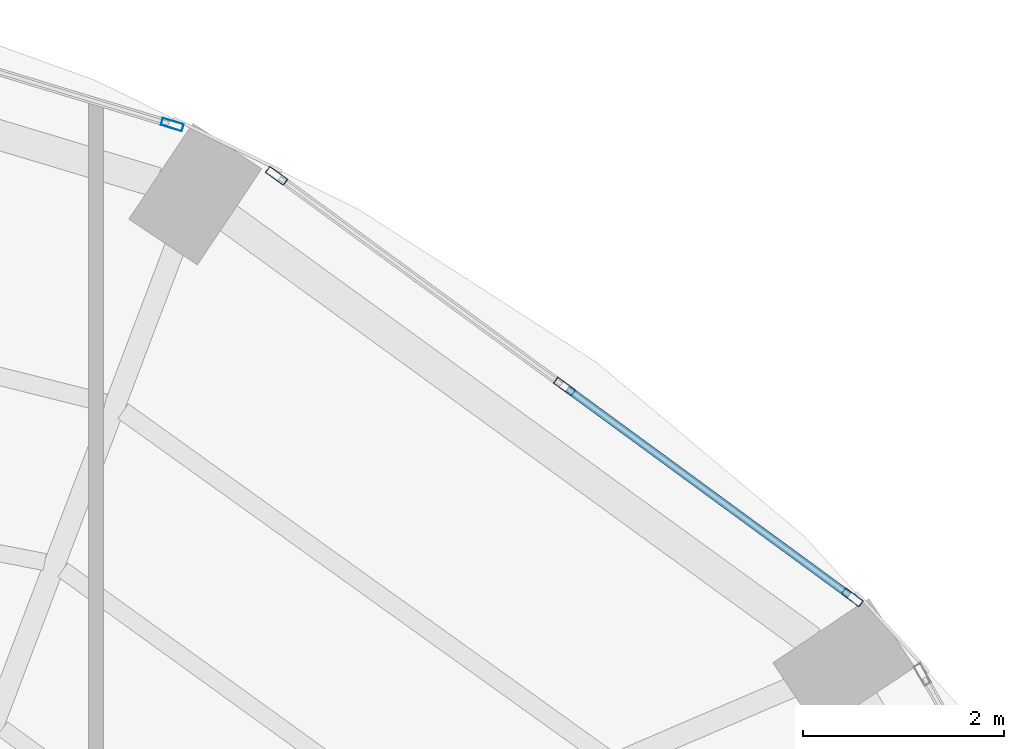
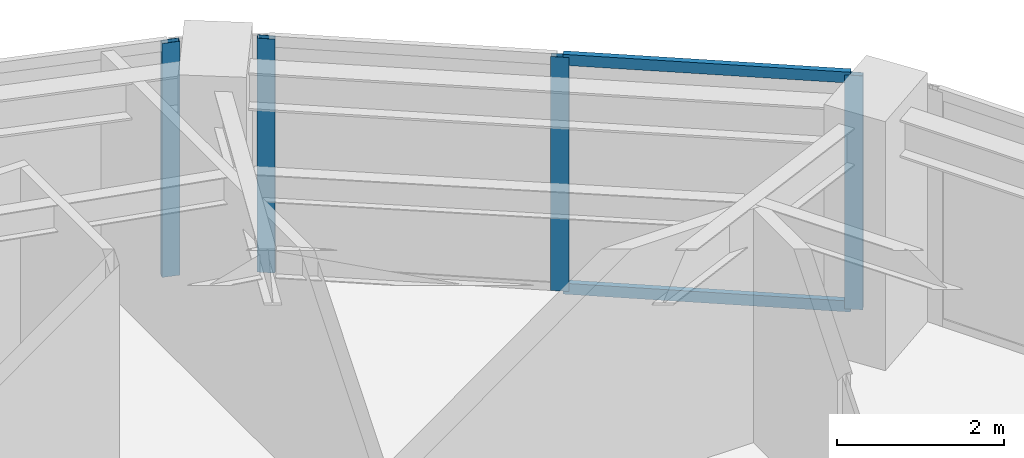
# One storey, part 14 of 20: 6 members, 2 elements without a shape of their own.
"""IFC4 building model written with IfcOpenShell, lengths in metres."""

from ifc_helpers import new_model, si_unit, direction, frame, origin, origin_2d, place, context, subcontext, project, spatial, hollow_rectangle, extrude, material, layer, layer_set, material_profile, profile_set, type_object, element, aggregate, save


model = new_model("IFC4")

# Units and contexts
model_context = context("Model", 3, precision=1e-05, world=origin(), true_north=direction((0.0, 1.0)))
body_context = subcontext(model_context, "Body", "Model", "MODEL_VIEW")
ifc_project = project(units=[si_unit("LENGTHUNIT", "METRE"), si_unit("AREAUNIT", "SQUARE_METRE"), si_unit("VOLUMEUNIT", "CUBIC_METRE"), si_unit("PLANEANGLEUNIT", "RADIAN"), si_unit("MASSUNIT", "GRAM", prefix="KILO")], contexts=[model_context])

# Site, building, storey
site_placement = place(None, origin())
site = spatial("IfcSite", under=ifc_project, at=site_placement, CompositionType="ELEMENT")
building_placement = place(site_placement, origin())
building = spatial("IfcBuilding", under=site, at=building_placement, Name="Lazwardi Medical Tower", CompositionType="ELEMENT")
storey_placement = place(building_placement, frame((0.0, 0.0, 141.93603515625)))
storey = spatial("IfcBuildingStorey", under=building, at=storey_placement, Name="L36", CompositionType="ELEMENT", Elevation=141.93603515625)

# Curtain wall, members
ifc_material_1 = material(Name="Anodised bronze aluminium and solar control glazing", Category="aluminium")
ifc_layer = layer(ifc_material_1, 0.195068359375)
ifc_layer_set = layer_set([ifc_layer], Name="Anodised bronze aluminium and solar control glazing")
curtain_wall_type = type_object("IfcCurtainWallType", Name="CW-SYS-03", PredefinedType="NOTDEFINED", material=ifc_layer_set)
curtain_wall_1_placement = place(storey_placement, origin())
curtain_wall_1 = element("IfcCurtainWall", 1, at=curtain_wall_1_placement, inside=storey, type_object=curtain_wall_type, Name="L36 Unitised bronze curtain wall CW-03", PredefinedType="NOTDEFINED")
ifc_material_2 = material(Name="Anodised bronze aluminium", Category="aluminium")
ifc_material_profile_1 = material_profile(ifc_material_2, hollow_rectangle(XDim=0.074951171875, YDim=0.219970703125, WallThickness=0.00390625, at=origin_2d()), Name="ALU-MULLION 220x75x4")
ifc_profile_set_1 = profile_set([ifc_material_profile_1], Name="Anodised bronze aluminium")
member_type_1 = type_object("IfcMemberType", Name="CW-MUL-01", PredefinedType="MULLION", material=ifc_profile_set_1)
member_1_placement = place(storey_placement, frame((55.519775390625, 40.5029296875, 0.0), z_axis=(0.0, 0.0, 1.0), x_axis=(-0.590833862635, -0.806793249082, 0.0)))
member_1 = element("IfcMember", 2, at=member_1_placement, type_object=member_type_1, Name="CW-03 mullion 1", PredefinedType="MULLION", context=body_context, shape_type="SweptSolid", body=[
    extrude(hollow_rectangle(XDim=0.074951171875, YDim=0.219970703125, WallThickness=0.00390625, at=origin_2d()), origin(), (0.0, 0.0, 1.0), 3.427978515625),
])
member_2_placement = place(storey_placement, frame((52.65771484375, 42.598876953125, 0.0), z_axis=(0.0, 0.0, 1.0), x_axis=(-0.590833862635, -0.806793249082, 0.0)))
member_2 = element("IfcMember", 3, at=member_2_placement, type_object=member_type_1, Name="CW-03 mullion 2", PredefinedType="MULLION", context=body_context, shape_type="SweptSolid", body=[
    extrude(hollow_rectangle(XDim=0.074951171875, YDim=0.219970703125, WallThickness=0.00390625, at=origin_2d()), origin(), (0.0, 0.0, 1.0), 3.427978515625),
])
member_3_placement = place(storey_placement, frame((49.795654296875, 44.69482421875, 0.0), z_axis=(0.0, 0.0, 1.0), x_axis=(-0.590833862635, -0.806793249082, 0.0)))
member_3 = element("IfcMember", 4, at=member_3_placement, type_object=member_type_1, Name="CW-03 mullion 3", PredefinedType="MULLION", context=body_context, shape_type="SweptSolid", body=[
    extrude(hollow_rectangle(XDim=0.074951171875, YDim=0.219970703125, WallThickness=0.00390625, at=origin_2d()), origin(), (0.0, 0.0, 1.0), 3.427978515625),
])

# Curtain wall, member
curtain_wall_2_placement = place(storey_placement, origin())
curtain_wall_2 = element("IfcCurtainWall", 5, at=curtain_wall_2_placement, inside=storey, type_object=curtain_wall_type, Name="L36 Unitised bronze curtain wall CW-03", PredefinedType="NOTDEFINED")
member_4_placement = place(storey_placement, frame((48.758056640625, 45.203369140625, 0.0), z_axis=(0.0, 0.0, 1.0), x_axis=(-0.290280785441, -0.956941516292, 0.0)))
member_4 = element("IfcMember", 6, at=member_4_placement, type_object=member_type_1, Name="CW-03 mullion 1", PredefinedType="MULLION", context=body_context, shape_type="SweptSolid", body=[
    extrude(hollow_rectangle(XDim=0.074951171875, YDim=0.219970703125, WallThickness=0.00390625, at=origin_2d()), origin(), (0.0, 0.0, 1.0), 3.427978515625),
])
aggregate(curtain_wall_2, [member_4])

# Member
ifc_material_profile_2 = material_profile(ifc_material_2, hollow_rectangle(XDim=0.074951171875, YDim=0.159912109375, WallThickness=0.00390625, at=origin_2d()), Name="ALU-TRANSOM 160x75x4")
ifc_profile_set_2 = profile_set([ifc_material_profile_2], Name="Anodised bronze aluminium")
member_type_2 = type_object("IfcMemberType", Name="CW-TRN-01", PredefinedType="USERDEFINED", material=ifc_profile_set_2)
member_5_placement = place(storey_placement, frame((55.489501953125, 40.525146484375, 0.037353515625), z_axis=(-0.806807161185, 0.590814864962, 0.0), x_axis=(-0.590814864962, -0.806807161185, 0.0)))
member_5 = element("IfcMember", 7, at=member_5_placement, type_object=member_type_2, Name="CW-03 transom 1.1", ObjectType="TRANSOM", PredefinedType="USERDEFINED", context=body_context, shape_type="SweptSolid", body=[
    extrude(hollow_rectangle(XDim=0.074951171875, YDim=0.159912109375, WallThickness=0.00390625, at=origin_2d()), origin(), (0.0, 0.0, 1.0), 3.472412109375),
])

member_6_placement = place(storey_placement, frame((55.489501953125, 40.525146484375, 3.390380859375), z_axis=(-0.806807161185, 0.590814864962, 0.0), x_axis=(-0.590814864962, -0.806807161185, 0.0)))
member_6 = element("IfcMember", 8, at=member_6_placement, type_object=member_type_2, Name="CW-03 transom 1.2", ObjectType="TRANSOM", PredefinedType="USERDEFINED", context=body_context, shape_type="SweptSolid", body=[
    extrude(hollow_rectangle(XDim=0.074951171875, YDim=0.159912109375, WallThickness=0.00390625, at=origin_2d()), origin(), (0.0, 0.0, 1.0), 3.472412109375),
])

aggregate(curtain_wall_1, [member_1, member_2, member_3, member_5, member_6])

save(model, "model.ifc")
